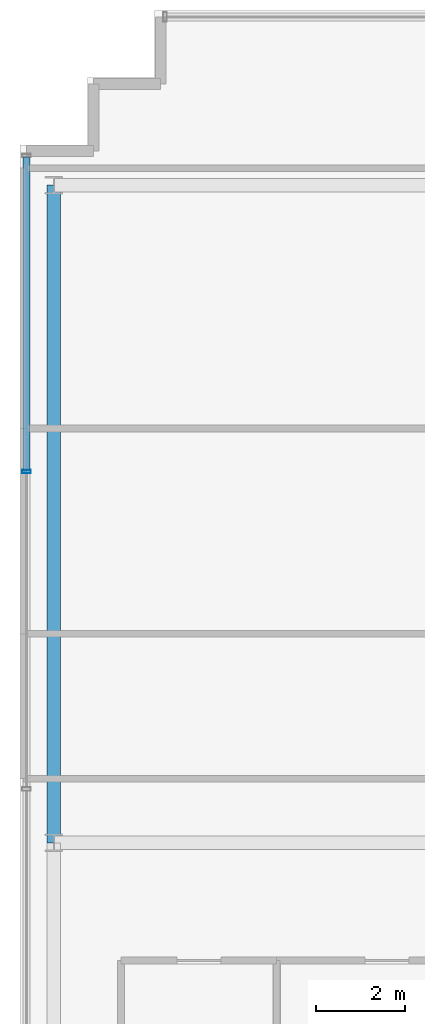
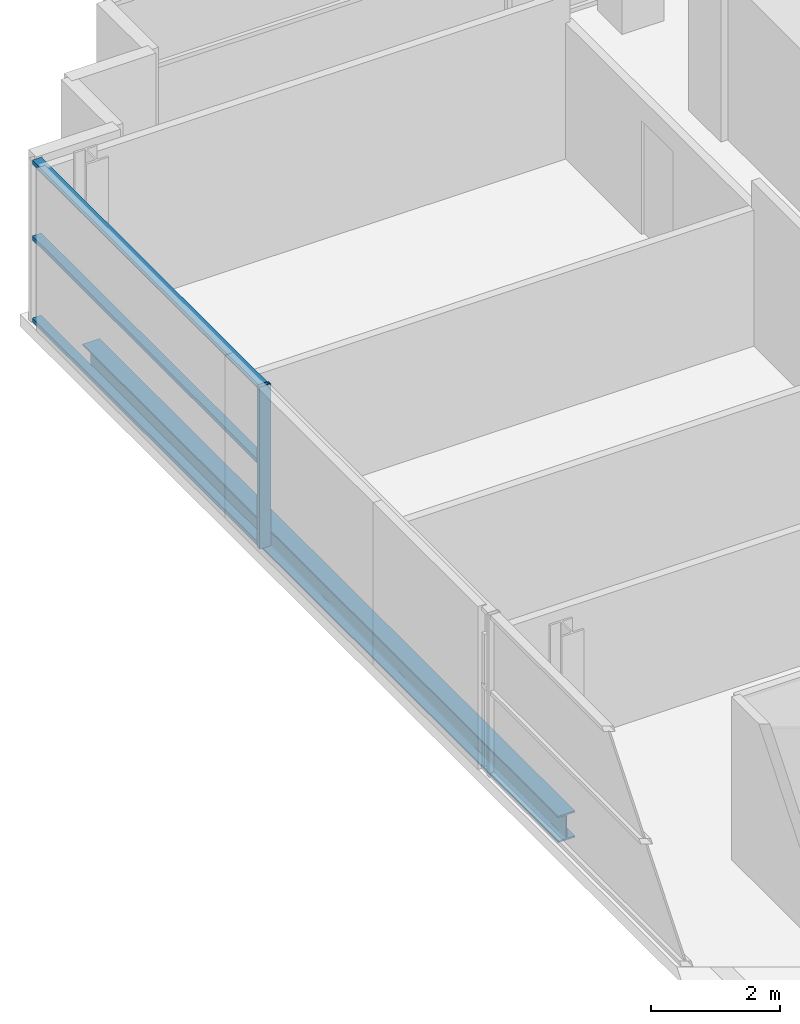
# One storey, part 10 of 25: 4 members, 1 beam, 1 element without a shape of its own.
"""IFC4 building model written with IfcOpenShell, lengths in metres."""

from ifc_helpers import new_model, si_unit, direction, frame, origin, origin_2d, place, context, subcontext, project, spatial, hollow_rectangle, i_section, extrude, source, transform, mapped, material, layer, layer_set, material_profile, profile_set, type_object, element, aggregate, save


model = new_model("IFC4")

# Units and contexts
model_context = context("Model", 3, precision=1e-05, world=origin(), true_north=direction((0.0, 1.0)))
body_context = subcontext(model_context, "Body", "Model", "MODEL_VIEW")
ifc_project = project(units=[si_unit("LENGTHUNIT", "METRE"), si_unit("AREAUNIT", "SQUARE_METRE"), si_unit("VOLUMEUNIT", "CUBIC_METRE"), si_unit("PLANEANGLEUNIT", "RADIAN"), si_unit("MASSUNIT", "GRAM", prefix="KILO")], contexts=[model_context])

# Site, building, storey
site_placement = place(None, origin())
site = spatial("IfcSite", under=ifc_project, at=site_placement, CompositionType="ELEMENT")
building_placement = place(site_placement, origin())
building = spatial("IfcBuilding", under=site, at=building_placement, Name="Zarnakvel Exchange Tower", CompositionType="ELEMENT")
storey_placement = place(building_placement, frame((0.0, 0.0, 162.699951171875)))
storey = spatial("IfcBuildingStorey", under=building, at=storey_placement, Name="L45", CompositionType="ELEMENT", Elevation=162.699951171875)

# Beam
ifc_material_1 = material(Name="Steel S355", Category="steel")
ifc_material_profile_1 = material_profile(ifc_material_1, i_section(OverallWidth=0.300048828125, OverallDepth=0.5, WebThickness=0.014404296875, FlangeThickness=0.028076171875, FilletRadius=0.027099609375, at=origin_2d()))
ifc_profile_set_1 = profile_set([ifc_material_profile_1], Name="Steel S355")
beam_type = type_object("IfcBeamType", Name="SP-02", PredefinedType="SPANDREL", material=ifc_profile_set_1)
beam_placement = place(storey_placement, frame((-25.85009765625, -1.199951171875, -0.474853515625), z_axis=(0.0, 1.0, 0.0), x_axis=(-1.0, 0.0, 0.0)))
element("IfcBeam", 1, at=beam_placement, inside=storey, type_object=beam_type, Name="L45 Tower N-S Frame Beam", PredefinedType="SPANDREL", context=body_context, shape_type="SweptSolid", body=[
    extrude(i_section(OverallWidth=0.300048828125, OverallDepth=0.5, WebThickness=0.014404296875, FlangeThickness=0.028076171875, FilletRadius=0.027099609375, at=origin_2d()), origin(), (0.0, 0.0, 1.0), 14.699951171875),
])

# Curtain wall, members
ifc_material_2 = material(Name="Architectural Bronze Anodised Aluminium", Category="aluminium")
ifc_layer = layer(ifc_material_2, 0.199951171875)
ifc_layer_set = layer_set([ifc_layer], Name="Architectural Bronze Anodised Aluminium")
curtain_wall_type = type_object("IfcCurtainWallType", Name="CW-04", PredefinedType="NOTDEFINED", material=ifc_layer_set)
curtain_wall_placement = place(storey_placement, origin())
curtain_wall = element("IfcCurtainWall", 2, at=curtain_wall_placement, inside=storey, type_object=curtain_wall_type, Name="L45 Curtain Wall CW-L45-W1 (CW-04)", PredefinedType="NOTDEFINED")
ifc_material_profile_2 = material_profile(ifc_material_2, hollow_rectangle(XDim=0.199951171875, YDim=0.074951171875, WallThickness=0.0048828125, at=origin_2d()))
ifc_profile_set_2 = profile_set([ifc_material_profile_2], Name="Architectural Bronze Anodised Aluminium")
member_type_1 = type_object("IfcMemberType", Name="CWM-04", PredefinedType="MULLION", material=ifc_profile_set_2)
shared_shape_1 = source(origin(), body_context, "Body", "SweptSolid", [
    extrude(hollow_rectangle(XDim=0.199951171875, YDim=0.074951171875, WallThickness=0.0048828125, at=origin_2d()), origin(), (0.0, 0.0, 1.0), 3.054931640625),
])
member_1_placement = place(storey_placement, frame((-26.4599609375, 7.10009765625, 0.0), z_axis=(0.0, 0.0, 1.0), x_axis=(-1.0, 0.0, 0.0)))
member_1 = element("IfcMember", 3, at=member_1_placement, type_object=member_type_1, Name="CW-04 mullion 4", PredefinedType="MULLION", context=body_context, shape_type="MappedRepresentation", body=[
    mapped(shared_shape_1, transform((0.0, 0.0, 0.0), x_axis=(1.0, 0.0, 0.0), y_axis=(0.0, 1.0, 0.0), z_axis=(0.0, 0.0, 1.0), scale=1.0)),
])
ifc_material_profile_3 = material_profile(ifc_material_2, hollow_rectangle(XDim=0.159912109375, YDim=0.074951171875, WallThickness=0.00390625, at=origin_2d()))
ifc_profile_set_3 = profile_set([ifc_material_profile_3], Name="Architectural Bronze Anodised Aluminium")
member_type_2 = type_object("IfcMemberType", Name="CWT-04", PredefinedType="USERDEFINED", material=ifc_profile_set_3)
shared_shape_2 = source(origin(), body_context, "Body", "SweptSolid", [
    extrude(hollow_rectangle(XDim=0.159912109375, YDim=0.074951171875, WallThickness=0.00390625, at=origin_2d()), origin(), (0.0, 0.0, 1.0), 6.987548828125),
])
member_2_placement = place(storey_placement, frame((-26.4599609375, 7.137451171875, 0.03759765625), z_axis=(0.0, 1.0, 0.0), x_axis=(-1.0, 0.0, 0.0)))
member_2 = element("IfcMember", 4, at=member_2_placement, type_object=member_type_2, Name="CW-04 transom 4.1", ObjectType="TRANSOM", PredefinedType="USERDEFINED", context=body_context, shape_type="MappedRepresentation", body=[
    mapped(shared_shape_2, transform((0.0, 0.0, 0.0), x_axis=(1.0, 0.0, 0.0), y_axis=(0.0, 1.0, 0.0), z_axis=(0.0, 0.0, 1.0), scale=1.0)),
])
member_3_placement = place(storey_placement, frame((-26.4599609375, 7.137451171875, 1.588623046875), z_axis=(0.0, 1.0, 0.0), x_axis=(-1.0, 0.0, 0.0)))
member_3 = element("IfcMember", 5, at=member_3_placement, type_object=member_type_2, Name="CW-04 transom 4.2", ObjectType="TRANSOM", PredefinedType="USERDEFINED", context=body_context, shape_type="MappedRepresentation", body=[
    mapped(shared_shape_2, transform((0.0, 0.0, 0.0), x_axis=(1.0, 0.0, 0.0), y_axis=(0.0, 1.0, 0.0), z_axis=(0.0, 0.0, 1.0), scale=1.0)),
])
member_4_placement = place(storey_placement, frame((-26.4599609375, 7.137451171875, 3.017578125), z_axis=(0.0, 1.0, 0.0), x_axis=(-1.0, 0.0, 0.0)))
member_4 = element("IfcMember", 6, at=member_4_placement, type_object=member_type_2, Name="CW-04 transom 4.3", ObjectType="TRANSOM", PredefinedType="USERDEFINED", context=body_context, shape_type="MappedRepresentation", body=[
    mapped(shared_shape_2, transform((0.0, 0.0, 0.0), x_axis=(1.0, 0.0, 0.0), y_axis=(0.0, 1.0, 0.0), z_axis=(0.0, 0.0, 1.0), scale=1.0)),
])
aggregate(curtain_wall, [member_1, member_2, member_3, member_4])

save(model, "model.ifc")
